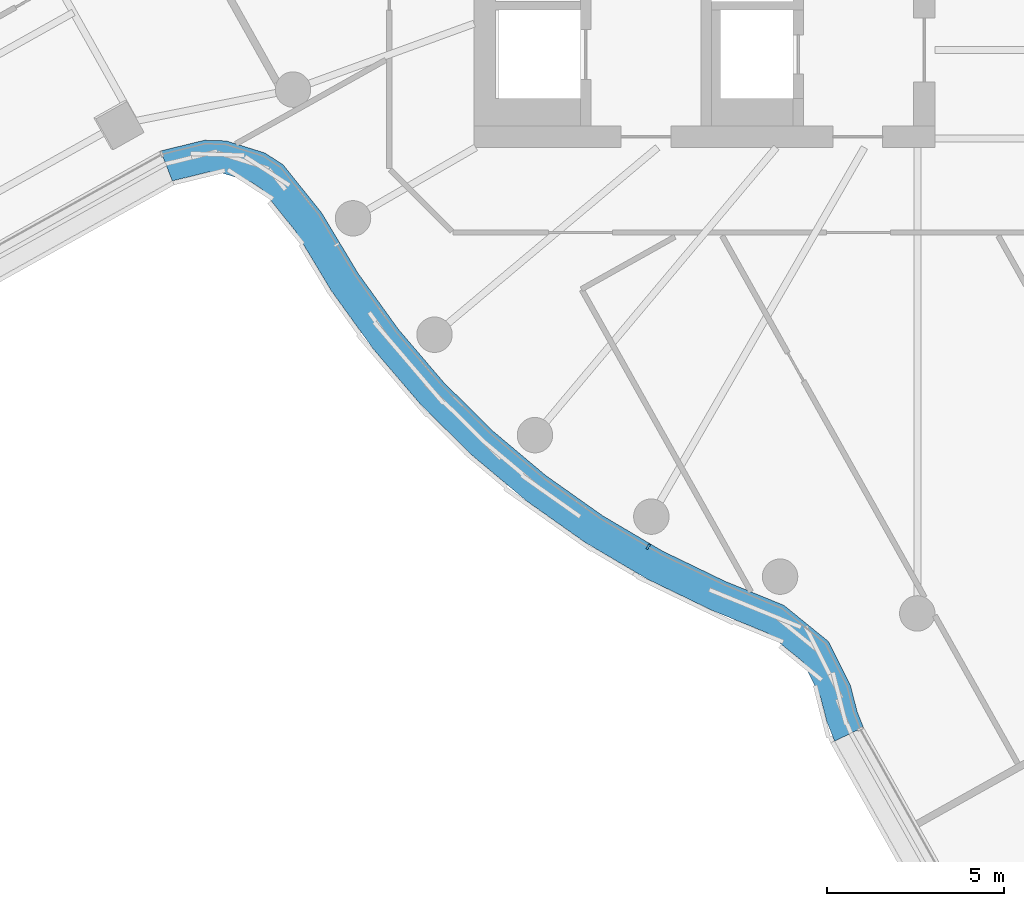
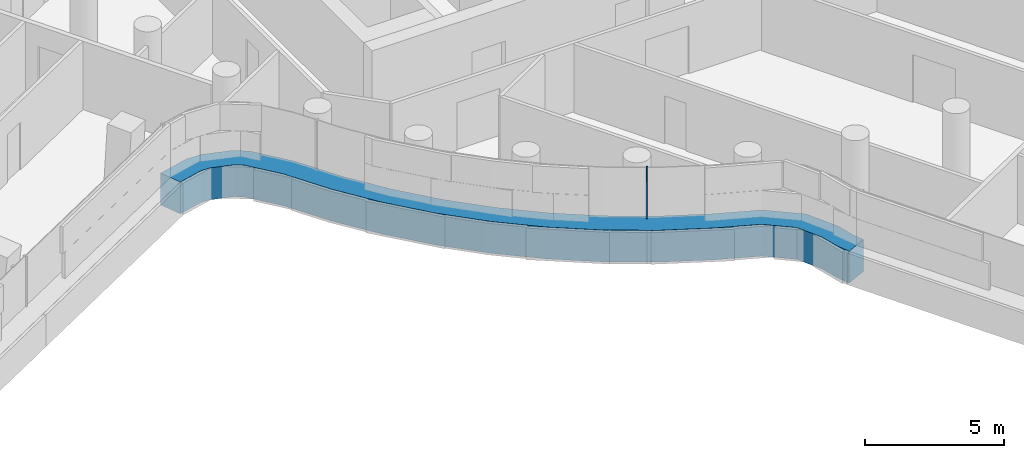
# One storey, part 5 of 34: 2 members, 1 element without a shape of its own.
"""IFC4 building model written with IfcOpenShell, lengths in metres."""

from ifc_helpers import new_model, si_unit, direction, frame, origin, origin_2d, place, context, subcontext, project, spatial, polyline, rectangle, outline, extrude, material, layer, layer_set, material_profile, profile_set, type_object, element, aggregate, save


model = new_model("IFC4")

# Units and contexts
model_context = context("Model", 3, precision=1e-05, world=origin(), true_north=direction((0.0, 1.0)))
body_context = subcontext(model_context, "Body", "Model", "MODEL_VIEW")
ifc_project = project(units=[si_unit("LENGTHUNIT", "METRE"), si_unit("AREAUNIT", "SQUARE_METRE"), si_unit("VOLUMEUNIT", "CUBIC_METRE"), si_unit("PLANEANGLEUNIT", "RADIAN"), si_unit("MASSUNIT", "GRAM", prefix="KILO")], contexts=[model_context])

# Site, building, storey
site_placement = place(None, origin())
site = spatial("IfcSite", under=ifc_project, at=site_placement, CompositionType="ELEMENT")
building_placement = place(site_placement, origin())
building = spatial("IfcBuilding", under=site, at=building_placement, Name="Tamarind Cross Interchange Tower", CompositionType="ELEMENT")
storey_placement = place(building_placement, frame((0.0, 0.0, 140.5)))
storey = spatial("IfcBuildingStorey", under=building, at=storey_placement, Name="L34", CompositionType="ELEMENT", Elevation=140.5)

# Curtain wall, members
ifc_material_1 = material(Name="Aluminium 6063-T6", Category="aluminium")
ifc_layer = layer(ifc_material_1, 0.159912109375)
ifc_layer_set = layer_set([ifc_layer], Name="Aluminium 6063-T6")
curtain_wall_type = type_object("IfcCurtainWallType", Name="Office curtain wall, 9.0 m bays", PredefinedType="NOTDEFINED", material=ifc_layer_set)
curtain_wall_placement = place(storey_placement, origin())
curtain_wall = element("IfcCurtainWall", 1, at=curtain_wall_placement, inside=storey, type_object=curtain_wall_type, Name="CWS-L34-02", PredefinedType="NOTDEFINED")
ifc_material_2 = material(Name="Aluminium and insulated spandrel panel", Category="aluminium")
member_type_1 = type_object("IfcMemberType", Name="Floor-edge blade transom", PredefinedType="USERDEFINED", material=ifc_material_2)
member_1_placement = place(storey_placement, origin())
member_1 = element("IfcMember", 2, at=member_1_placement, type_object=member_type_1, Name="CWT-L34-02", ObjectType="TRANSOM", PredefinedType="USERDEFINED", context=body_context, shape_type="SweptSolid", body=[
    extrude(outline(polyline([(-25.3505859375, -9.597900390625), (-24.107177734375, -9.29443359375), (-23.5, -9.3134765625), (-22.408935546875, -9.654296875), (-21.892333984375, -9.98828125), (-20.807861328125, -11.339599609375), (-19.78125, -13.045654296875), (-18.636474609375, -14.634521484375), (-17.3642578125, -16.12353515625), (-15.973388671875, -17.50244140625), (-14.4736328125, -18.76171875), (-12.874755859375, -19.892822265625), (-11.188232421875, -20.88818359375), (-9.42236328125, -21.741943359375), (-7.75732421875, -22.42236328125), (-6.501220703125, -23.442138671875), (-5.880126953125, -24.68115234375), (-5.693115234375, -25.417236328125), (-5.51416015625, -25.86572265625), (-6.328125, -26.25390625), (-6.55078125, -25.696044921875), (-6.728515625, -24.9970703125), (-7.21875, -24.0185546875), (-8.220947265625, -23.205078125), (-9.788818359375, -22.564453125), (-11.613525390625, -21.68212890625), (-13.3642578125, -20.64892578125), (-15.023681640625, -19.474853515625), (-16.580810546875, -18.167724609375), (-18.0244140625, -16.736572265625), (-19.344970703125, -15.19091796875), (-20.533203125, -13.54150390625), (-21.547607421875, -11.85546875), (-22.503173828125, -10.6650390625), (-22.79443359375, -10.476806640625), (-23.651123046875, -10.209228515625), (-24.012939453125, -10.19775390625), (-25.0185546875, -10.443359375), (-25.3505859375, -9.597900390625)])), origin(), (0.0, 0.0, 1.0), 1.39990234375),
])
ifc_material_profile = material_profile(ifc_material_1, rectangle(XDim=0.06005859375, YDim=0.159912109375, at=origin_2d()), Name="Mullion CW1")
ifc_profile_set = profile_set([ifc_material_profile], Name="Aluminium 6063-T6")
member_type_2 = type_object("IfcMemberType", Name="Mullion CW1", PredefinedType="MULLION", material=ifc_profile_set)
member_2_placement = place(storey_placement, frame((-11.58642578125, -20.769287109375, 1.39990234375), z_axis=(0.0, 0.0, 1.0), x_axis=(0.861248933065, -0.508183308752, 0.0)))
member_2 = element("IfcMember", 3, at=member_2_placement, type_object=member_type_2, Name="CWM-L34-02-02", PredefinedType="MULLION", context=body_context, shape_type="SweptSolid", body=[
    extrude(rectangle(XDim=0.06005859375, YDim=0.159912109375, at=origin_2d()), origin(), (0.0, 0.0, 1.0), 2.210205078125),
])
aggregate(curtain_wall, [member_2, member_1])

save(model, "model.ifc")
